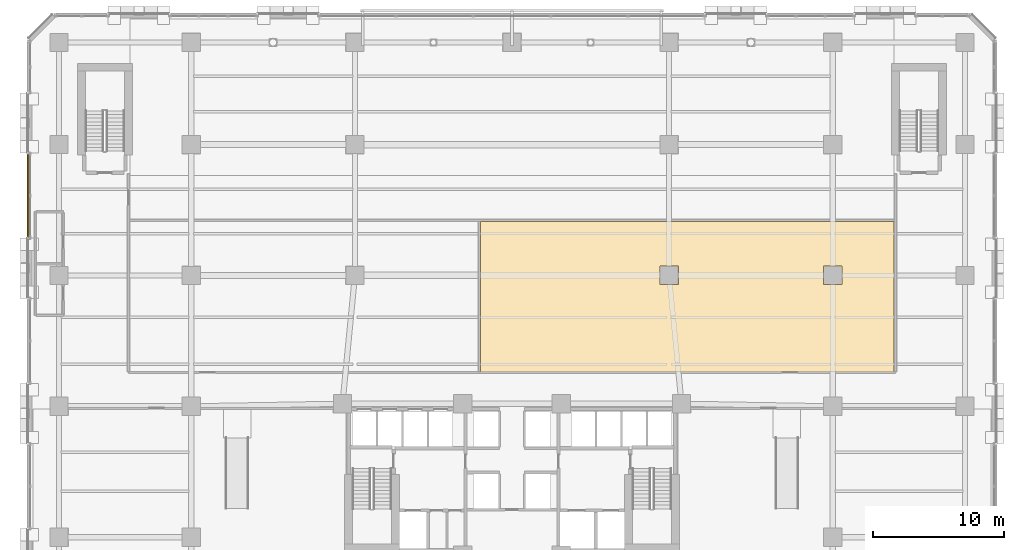
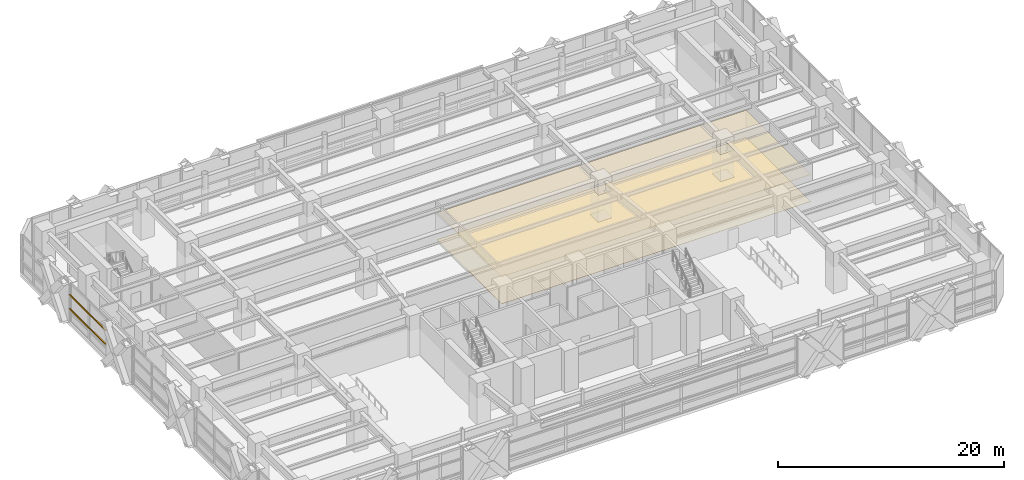
# One storey, part 27 of 30: 2 coverings, 2 shading devices.
"""IFC4 building model written with IfcOpenShell, lengths in metres."""

from ifc_helpers import new_model, si_unit, direction, frame, origin, origin_2d, place, context, subcontext, project, spatial, polyline, rectangle, outline, extrude, material, layer, layer_set, material_profile, profile_set, type_object, element, save


model = new_model("IFC4")

# Units and contexts
model_context = context("Model", 3, precision=1e-05, world=origin(), true_north=direction((0.0, 1.0)))
body_context = subcontext(model_context, "Body", "Model", "MODEL_VIEW")
ifc_project = project(units=[si_unit("LENGTHUNIT", "METRE"), si_unit("AREAUNIT", "SQUARE_METRE"), si_unit("VOLUMEUNIT", "CUBIC_METRE"), si_unit("PLANEANGLEUNIT", "RADIAN"), si_unit("MASSUNIT", "GRAM", prefix="KILO")], contexts=[model_context])

# Site, building, storey
site_placement = place(None, origin())
site = spatial("IfcSite", under=ifc_project, at=site_placement, CompositionType="ELEMENT")
building_placement = place(site_placement, origin())
building = spatial("IfcBuilding", under=site, at=building_placement, Name="Quenlor Broadcast Tower", CompositionType="ELEMENT")
storey_placement = place(building_placement, frame((0.0, 0.0, 9.5)))
storey = spatial("IfcBuildingStorey", under=building, at=storey_placement, Name="L02", CompositionType="ELEMENT", Elevation=9.5)

# Covering
ifc_material_1 = material(Name="Acoustic Mineral Fibre Board", Category="other")
ifc_layer_1 = layer(ifc_material_1, 0.02490234375)
ifc_layer_set_1 = layer_set([ifc_layer_1], Name="Acoustic Perforated Mineral Tile Ceiling 25")
covering_type_1 = type_object("IfcCoveringType", Name="Acoustic Perforated Mineral Tile Ceiling 25", PredefinedType="CEILING", material=ifc_layer_set_1)
covering_1_placement = place(storey_placement, frame((0.0, 0.0, 2.925048828125)))
element("IfcCovering", 1, at=covering_1_placement, inside=storey, type_object=covering_type_1, Name="L02 Acoustic Ceiling L02-34", PredefinedType="CEILING", context=body_context, shape_type="SweptSolid", body=[
    extrude(outline(polyline([(29.199951171875, -2.360107421875), (-2.419921875, -2.360107421875), (-2.419921875, 9.1201171875), (29.199951171875, 9.1201171875), (29.199951171875, -2.360107421875)]), holes=[polyline([(12.7080078125, 5.7080078125), (11.2919921875, 5.7080078125), (11.2919921875, 4.2919921875), (12.7080078125, 4.2919921875), (12.7080078125, 5.7080078125)]), polyline([(25.2080078125, 5.7080078125), (23.7919921875, 5.7080078125), (23.7919921875, 4.2919921875), (25.2080078125, 4.2919921875), (25.2080078125, 5.7080078125)])]), origin(), (0.0, 0.0, 1.0), 0.02490234375),
])

# Shading devices
ifc_material_2 = material(Name="Architectural Terracotta Ceramic", Category="masonry")
ifc_material_profile = material_profile(ifc_material_2, rectangle(XDim=0.090087890625, YDim=0.139892578125, at=origin_2d()))
ifc_profile_set = profile_set([ifc_material_profile], Name="Architectural Terracotta Ceramic BAG90x140")
shading_device_type = type_object("IfcShadingDeviceType", Name="Copper Terracotta Baguette Solar Screen 140", PredefinedType="USERDEFINED", material=ifc_profile_set)
for number, where, z_axis, x_axis, name in (
    (2, (-36.972900390625, 7.893798828125, 1.511962890625), (0.0, 1.0, 0.0), (-1.0, 0.0, 0.0), "L02 Terracotta Baguette Screen 1"),
    (3, (-36.972900390625, 7.893798828125, 3.02392578125), (0.0, 1.0, 0.0), (-1.0, 0.0, 0.0), "L02 Terracotta Baguette Screen 2"),
):
    element("IfcShadingDevice", number, at=place(storey_placement, frame(where, z_axis=z_axis, x_axis=x_axis)), inside=storey, type_object=shading_device_type, Name=name, ObjectType="BAGUETTE", PredefinedType="USERDEFINED", context=body_context, shape_type="SweptSolid", body=[
        extrude(rectangle(XDim=0.090087890625, YDim=0.139892578125, at=origin_2d()), origin(), (0.0, 0.0, 1.0), 6.41259765625),
    ])

# Covering
ifc_material_3 = material(Name="Terrazzo Stone Finish", Category="masonry")
ifc_layer_2 = layer(ifc_material_3, 0.02001953125)
ifc_layer_set_2 = layer_set([ifc_layer_2], Name="Polished Sandstone Terrazzo Flooring 20")
covering_type_2 = type_object("IfcCoveringType", Name="Polished Sandstone Terrazzo Flooring 20", PredefinedType="FLOORING", material=ifc_layer_set_2)
covering_2_placement = place(storey_placement, origin())
element("IfcCovering", 4, at=covering_2_placement, inside=storey, type_object=covering_type_2, Name="L02 Terrazzo Flooring L02-34", PredefinedType="FLOORING", context=body_context, shape_type="SweptSolid", body=[
    extrude(outline(polyline([(29.199951171875, -2.360107421875), (-2.419921875, -2.360107421875), (-2.419921875, 9.1201171875), (29.199951171875, 9.1201171875), (29.199951171875, -2.360107421875)]), holes=[polyline([(12.7080078125, 5.7080078125), (11.2919921875, 5.7080078125), (11.2919921875, 4.2919921875), (12.7080078125, 4.2919921875), (12.7080078125, 5.7080078125)]), polyline([(25.2080078125, 5.7080078125), (23.7919921875, 5.7080078125), (23.7919921875, 4.2919921875), (25.2080078125, 4.2919921875), (25.2080078125, 5.7080078125)])]), origin(), (0.0, 0.0, 1.0), 0.02001953125),
])

save(model, "model.ifc")
